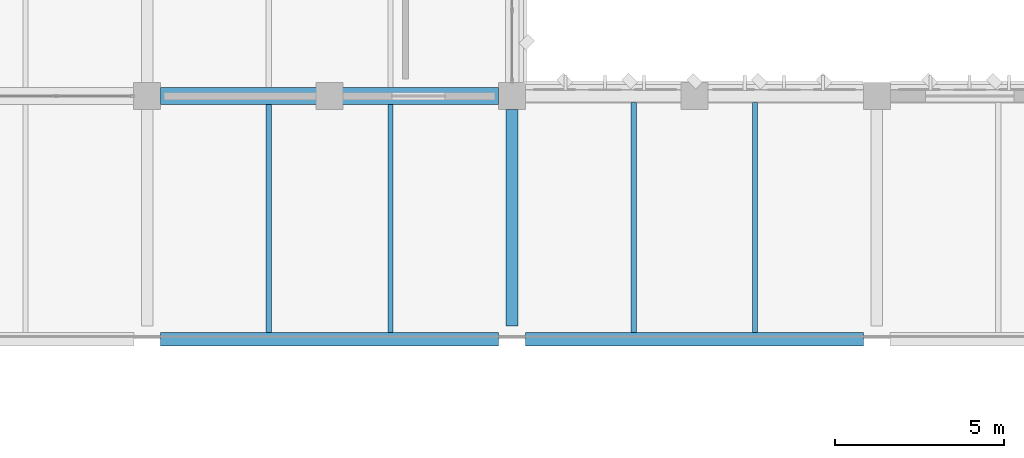
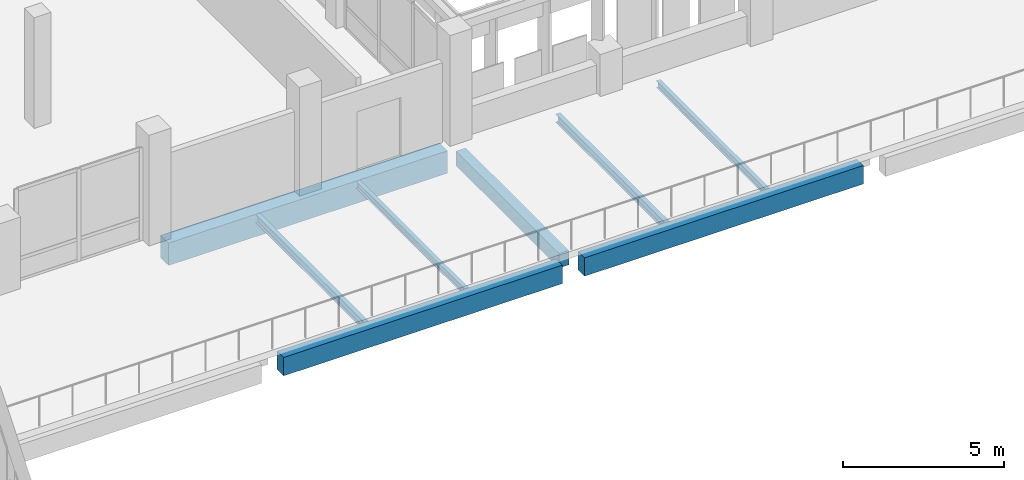
# One storey, part 8 of 158: 8 beams.
"""IFC4 building model written with IfcOpenShell, lengths in metres."""

import ifcopenshell
import ifcopenshell.guid

model = None  # the IFC model being written
_history = None  # IfcOwnerHistory: only IFC2X3 demands one
_inside = {}  # id of a spatial element -> (the spatial element, [elements in it])
_under = {}  # id of a project, library or spatial element -> (it, [spatial elements below it])
_declared = {}  # id of a project -> (the project, [libraries it declares])
_typed = {}  # id of a type object -> (the type object, [elements of that type])
_made_of = {}  # id of a material, layer set ... -> (it, [elements and type objects made of it])


def new_model(schema):
    """Start an empty IFC model of exactly this schema.

    Asked for "IFC4X3", IfcOpenShell would pick the latest addendum, in which some entities
    have other attributes; the version numbers below select the first issue.
    IFC2X3 requires an IfcOwnerHistory on every rooted entity: one is made here for all.
    """
    global model, _history
    if schema == "IFC4X3":
        model = ifcopenshell.file(schema_version=(4, 3, 0, 0))
    else:
        model = ifcopenshell.file(schema=schema)
    _inside.clear()
    _under.clear()
    _declared.clear()
    _typed.clear()
    _made_of.clear()
    _history = None
    if model.schema == "IFC2X3":
        org = make("IfcOrganization", Name="unknown")
        user = make(
            "IfcPersonAndOrganization",
            ThePerson=make("IfcPerson", FamilyName="unknown"),
            TheOrganization=org,
        )
        app = make(
            "IfcApplication",
            ApplicationDeveloper=org,
            Version="unknown",
            ApplicationFullName="unknown",
            ApplicationIdentifier="unknown",
        )
        _history = make(
            "IfcOwnerHistory",
            OwningUser=user,
            OwningApplication=app,
            ChangeAction="ADDED",
            CreationDate=0,
        )
    return model


def make(cls, **values):
    """One entity of the class cls with the attributes given. An attribute that is None is left unset."""
    return model.create_entity(
        cls, **{name: value for name, value in values.items() if value is not None}
    )


def rooted(cls, **values):
    """An entity with a GlobalId (a new one), such as an element, a storey or a relation."""
    return make(cls, GlobalId=ifcopenshell.guid.new(), OwnerHistory=_history, **values)


def si_unit(unit_type, name, prefix=None):
    """IfcSIUnit, for example si_unit("LENGTHUNIT", "METRE", prefix="MILLI")."""
    return make("IfcSIUnit", UnitType=unit_type, Prefix=prefix, Name=name)


def assignment(units):
    """IfcUnitAssignment: the units of a project."""
    return None if units is None else make("IfcUnitAssignment", Units=units)


def point(xyz):
    """IfcCartesianPoint."""
    return None if xyz is None else make("IfcCartesianPoint", Coordinates=xyz)


def direction(xyz):
    """IfcDirection."""
    return None if xyz is None else make("IfcDirection", DirectionRatios=xyz)


def frame(location, z_axis=None, x_axis=None):
    """IfcAxis2Placement3D, a coordinate frame: its origin and axes. An axis left out is left unset."""
    return make(
        "IfcAxis2Placement3D",
        Location=point(location),
        Axis=direction(z_axis),
        RefDirection=direction(x_axis),
    )


def frame_2d(location, x_axis=None):
    """IfcAxis2Placement2D, a coordinate frame in the plane: its origin and x axis."""
    return make(
        "IfcAxis2Placement2D", Location=point(location), RefDirection=direction(x_axis)
    )


def origin():
    """The frame at (0, 0, 0) with its axes left unset."""
    return frame((0.0, 0.0, 0.0))


def origin_2d():
    """The frame at (0, 0) in the plane with its x axis left unset."""
    return frame_2d((0.0, 0.0))


def place(relative_to, where):
    """IfcLocalPlacement: puts the frame where relative to a parent placement (None: the world)."""
    return make(
        "IfcLocalPlacement", PlacementRelTo=relative_to, RelativePlacement=where
    )


def context(
    kind, dimensions, precision=None, world=None, true_north=None, identifier=None
):
    """IfcGeometricRepresentationContext, for example the 3D "Model" context."""
    return make(
        "IfcGeometricRepresentationContext",
        ContextIdentifier=identifier,
        ContextType=kind,
        CoordinateSpaceDimension=dimensions,
        Precision=precision,
        WorldCoordinateSystem=world,
        TrueNorth=true_north,
    )


def subcontext(parent, identifier, kind, view, scale=None):
    """IfcGeometricRepresentationSubContext, for example "Body" below "Model"."""
    return make(
        "IfcGeometricRepresentationSubContext",
        ContextIdentifier=identifier,
        ContextType=kind,
        ParentContext=parent,
        TargetScale=scale,
        TargetView=view,
    )


def project(units=None, contexts=None):
    """IfcProject with its units and contexts."""
    return rooted(
        "IfcProject",
        Name="project",
        RepresentationContexts=contexts,
        UnitsInContext=assignment(units),
    )


def spatial(cls, under=None, at=None, **own):
    """A site, building, storey or space (cls), placed at a placement, below another one or the project."""
    s = rooted(cls, ObjectPlacement=at, **own)
    if under is not None:
        _under.setdefault(under.id(), (under, []))[1].append(s)
    return s


def profile(cls, at=None, kind="AREA", **sizes):
    """A parametric profile (cls). Its sizes go by their IFC names, for example OverallWidth=200.0."""
    return make(cls, ProfileType=kind, Position=at, **sizes)


def rectangle(**sizes):
    """IfcRectangleProfileDef."""
    return profile("IfcRectangleProfileDef", **sizes)


def i_section(**sizes):
    """IfcIShapeProfileDef."""
    return profile("IfcIShapeProfileDef", **sizes)


def extrude(swept, where, along, depth):
    """IfcExtrudedAreaSolid: the profile swept, set in the frame where, extruded along a direction by depth."""
    return make(
        "IfcExtrudedAreaSolid",
        SweptArea=swept,
        Position=where,
        ExtrudedDirection=direction(along),
        Depth=depth,
    )


def shape(context_of_items, identifier, shape_type, items):
    """IfcShapeRepresentation: the items that make up one representation, for example the "Body"."""
    return make(
        "IfcShapeRepresentation",
        ContextOfItems=context_of_items,
        RepresentationIdentifier=identifier,
        RepresentationType=shape_type,
        Items=items,
    )


def material(Name=None, Category=None):
    """IfcMaterial."""
    return make("IfcMaterial", Name=Name, Category=Category)


def material_profile(
    of_material, cross_section, Name=None, Category=None, Priority=None
):
    """IfcMaterialProfile: a cross section and its material."""
    return make(
        "IfcMaterialProfile",
        Name=Name,
        Material=of_material,
        Profile=cross_section,
        Priority=Priority,
        Category=Category,
    )


def profile_set(profiles, Name=None, composite=None):
    """IfcMaterialProfileSet."""
    return make(
        "IfcMaterialProfileSet",
        Name=Name,
        MaterialProfiles=profiles,
        CompositeProfile=composite,
    )


def made_of(thing, what):
    """Note that an element or type object is made of a material, layer set ...; save() writes the relation."""
    if what is not None:
        _made_of.setdefault(what.id(), (what, []))[1].append(thing)
    return thing


def type_object(cls, material=None, **own):
    """A type object (cls), such as IfcWallType, which elements share."""
    return made_of(rooted(cls, **own), material)


def element(
    cls,
    number,
    at=None,
    inside=None,
    cuts=None,
    type_object=None,
    material=None,
    context=None,
    identifier="Body",
    shape_type=None,
    held_by="IfcProductDefinitionShape",
    body=None,
    shapes=None,
    **own,
):
    """One element of the class cls, such as IfcWall. Its Tag is "e" and its number.

    at: its placement. inside: the storey or other place that contains it. cuts: it is an
    opening in that element (IfcRelVoidsElement). A single representation is given by context,
    identifier, shape_type and body (its items); several are given by shapes. held_by: the class
    of the entity that holds the representations. save() writes the other relations.
    """
    e = rooted(cls, Tag="e%d" % number, ObjectPlacement=at, **own)
    if body is not None:
        shapes = [shape(context, identifier, shape_type, body)]
    if shapes is not None:
        e.Representation = make(held_by, Representations=shapes)
    if inside is not None:
        _inside.setdefault(inside.id(), (inside, []))[1].append(e)
    if cuts is not None:
        rooted(
            "IfcRelVoidsElement", RelatingBuildingElement=cuts, RelatedOpeningElement=e
        )
    if type_object is not None:
        _typed.setdefault(type_object.id(), (type_object, []))[1].append(e)
    return made_of(e, material)


def aggregate(whole, parts):
    """IfcRelAggregates: a whole, such as a stair, and the parts it consists of."""
    return rooted("IfcRelAggregates", RelatingObject=whole, RelatedObjects=parts)


def save(model, path):
    """Write the relations noted so far, then the file.

    IfcRelAggregates (storeys below a building ...), IfcRelContainedInSpatialStructure (elements
    in a storey), IfcRelDefinesByType, IfcRelAssociatesMaterial and IfcRelDeclares: one each for
    every whole, place, type object, material and project.
    """
    for whole, parts in _under.values():
        aggregate(whole, parts)
    for where, things in _inside.values():
        rooted(
            "IfcRelContainedInSpatialStructure",
            RelatedElements=things,
            RelatingStructure=where,
        )
    for kind, things in _typed.values():
        rooted("IfcRelDefinesByType", RelatedObjects=things, RelatingType=kind)
    for what, things in _made_of.values():
        rooted("IfcRelAssociatesMaterial", RelatedObjects=things, RelatingMaterial=what)
    for by, libraries in _declared.values():
        rooted("IfcRelDeclares", RelatingContext=by, RelatedDefinitions=libraries)
    model.write(path)


model = new_model("IFC4")

# Units and contexts
model_context = context("Model", 3, precision=1e-05, world=origin(), true_north=direction((0.0, 1.0)))
body_context = subcontext(model_context, "Body", "Model", "MODEL_VIEW")
ifc_project = project(units=[si_unit("LENGTHUNIT", "METRE"), si_unit("AREAUNIT", "SQUARE_METRE"), si_unit("VOLUMEUNIT", "CUBIC_METRE"), si_unit("PLANEANGLEUNIT", "RADIAN"), si_unit("MASSUNIT", "GRAM", prefix="KILO")], contexts=[model_context])

# Site, building, storey
site_placement = place(None, origin())
site = spatial("IfcSite", under=ifc_project, at=site_placement, CompositionType="ELEMENT")
building_placement = place(site_placement, origin())
building = spatial("IfcBuilding", under=site, at=building_placement, Name="Lusvemor Sports Hall", CompositionType="ELEMENT")
storey_placement = place(building_placement, frame((0.0, 0.0, 10.800048828125)))
storey = spatial("IfcBuildingStorey", under=building, at=storey_placement, Name="L02", CompositionType="ELEMENT", Elevation=10.800048828125)

# Beams
ifc_material_1 = material(Name="Concrete C40/50", Category="concrete")
ifc_material_profile_1 = material_profile(ifc_material_1, rectangle(XDim=0.35009765625, YDim=0.550048828125, at=origin_2d()), Name="RC350x550")
ifc_profile_set_1 = profile_set([ifc_material_profile_1], Name="Concrete C40/50")
beam_type_1 = type_object("IfcBeamType", Name="BEAM_RC_550", PredefinedType="BEAM", material=ifc_profile_set_1)
beam_1_placement = place(storey_placement, frame((21.60009765625, 39.99609375, -0.53515625), z_axis=(0.0, 1.0, 0.0), x_axis=(-1.0, 0.0, 0.0)))
element("IfcBeam", 1, at=beam_1_placement, inside=storey, type_object=beam_type_1, Name="Beam L02 3:E-F", PredefinedType="BEAM", context=body_context, shape_type="SweptSolid", body=[
    extrude(rectangle(XDim=0.35009765625, YDim=0.550048828125, at=origin_2d()), origin(), (0.0, 0.0, 1.0), 6.407958984375),
])
ifc_material_2 = material(Name="Concrete C40/50", Category="concrete")
ifc_material_profile_2 = material_profile(ifc_material_2, rectangle(XDim=0.5, YDim=0.85009765625, at=origin_2d()), Name="RC500x850")
ifc_profile_set_2 = profile_set([ifc_material_profile_2], Name="Concrete C40/50")
beam_type_2 = type_object("IfcBeamType", Name="GIRD_RC_850", PredefinedType="T_BEAM", material=ifc_profile_set_2)
beam_2_placement = place(storey_placement, frame((11.196044921875, 46.800048828125, -0.68505859375), z_axis=(1.0, 0.0, 0.0), x_axis=(0.0, 1.0, 0.0)))
element("IfcBeam", 2, at=beam_2_placement, inside=storey, type_object=beam_type_2, Name="Beam L02 F:2-3", PredefinedType="T_BEAM", context=body_context, shape_type="SweptSolid", body=[
    extrude(rectangle(XDim=0.5, YDim=0.85009765625, at=origin_2d()), origin(), (0.0, 0.0, 1.0), 10.008056640625),
])
ifc_material_3 = material(Name="Steel S355", Category="steel")
ifc_material_profile_3 = material_profile(ifc_material_3, i_section(OverallWidth=0.14794921875, OverallDepth=0.26611328125, WebThickness=0.007568359375, FlangeThickness=0.012939453125, FilletRadius=0.012939453125, at=origin_2d()), Name="W250x44.8")
ifc_profile_set_3 = profile_set([ifc_material_profile_3], Name="Steel S355")
beam_type_3 = type_object("IfcBeamType", Name="JOIST_ST_250M", PredefinedType="JOIST", material=ifc_profile_set_3)
beam_3_placement = place(storey_placement, frame((18.0, 39.7958984375, -0.39697265625), z_axis=(0.0, 1.0, 0.0), x_axis=(-1.0, 0.0, 0.0)))
element("IfcBeam", 3, at=beam_3_placement, inside=storey, type_object=beam_type_3, Name="Secondary Joist L02 2-3/E-F #2", PredefinedType="JOIST", context=body_context, shape_type="SweptSolid", body=[
    extrude(i_section(OverallWidth=0.14794921875, OverallDepth=0.26611328125, WebThickness=0.007568359375, FlangeThickness=0.012939453125, FilletRadius=0.012939453125, at=origin_2d()), origin(), (0.0, 0.0, 1.0), 6.758056640625),
])
beam_4_placement = place(storey_placement, frame((28.800048828125, 39.7958984375, -0.39697265625), z_axis=(0.0, 1.0, 0.0), x_axis=(-1.0, 0.0, 0.0)))
element("IfcBeam", 4, at=beam_4_placement, inside=storey, type_object=beam_type_3, Name="Secondary Joist L02 3-4/E-F #2", PredefinedType="JOIST", context=body_context, shape_type="SweptSolid", body=[
    extrude(i_section(OverallWidth=0.14794921875, OverallDepth=0.26611328125, WebThickness=0.007568359375, FlangeThickness=0.012939453125, FilletRadius=0.012939453125, at=origin_2d()), origin(), (0.0, 0.0, 1.0), 6.80810546875),
])
ifc_material_4 = material(Name="Steel S355", Category="steel")
ifc_material_profile_4 = material_profile(ifc_material_4, i_section(OverallWidth=0.1669921875, OverallDepth=0.31689453125, WebThickness=0.007568359375, FlangeThickness=0.01318359375, FilletRadius=0.014892578125, at=origin_2d()), Name="W310x52.0")
ifc_profile_set_4 = profile_set([ifc_material_profile_4], Name="Steel S355")
beam_type_4 = type_object("IfcBeamType", Name="JOIST_ST_310M", PredefinedType="JOIST", material=ifc_profile_set_4)
beam_5_placement = place(storey_placement, frame((14.39990234375, 39.7958984375, -0.422607421875), z_axis=(0.0, 1.0, 0.0), x_axis=(-1.0, 0.0, 0.0)))
element("IfcBeam", 5, at=beam_5_placement, inside=storey, type_object=beam_type_4, Name="Secondary Joist L02 2-3/E-F #1", PredefinedType="JOIST", context=body_context, shape_type="SweptSolid", body=[
    extrude(i_section(OverallWidth=0.1669921875, OverallDepth=0.31689453125, WebThickness=0.007568359375, FlangeThickness=0.01318359375, FilletRadius=0.014892578125, at=origin_2d()), origin(), (0.0, 0.0, 1.0), 6.758056640625),
])
beam_6_placement = place(storey_placement, frame((25.199951171875, 39.7958984375, -0.422607421875), z_axis=(0.0, 1.0, 0.0), x_axis=(-1.0, 0.0, 0.0)))
element("IfcBeam", 6, at=beam_6_placement, inside=storey, type_object=beam_type_4, Name="Secondary Joist L02 3-4/E-F #1", PredefinedType="JOIST", context=body_context, shape_type="SweptSolid", body=[
    extrude(i_section(OverallWidth=0.1669921875, OverallDepth=0.31689453125, WebThickness=0.007568359375, FlangeThickness=0.01318359375, FilletRadius=0.014892578125, at=origin_2d()), origin(), (0.0, 0.0, 1.0), 6.80810546875),
])
ifc_material_5 = material(Name="Concrete C40/50", Category="concrete")
ifc_material_profile_5 = material_profile(ifc_material_5, rectangle(XDim=0.39990234375, YDim=0.699951171875, at=origin_2d()), Name="RC400x700")
ifc_profile_set_5 = profile_set([ifc_material_profile_5], Name="Concrete C40/50")
beam_type_5 = type_object("IfcBeamType", Name="SPAND_EXT_700", PredefinedType="SPANDREL", material=ifc_profile_set_5)
beam_7_placement = place(storey_placement, frame((11.196044921875, 39.60009765625, -0.610107421875), z_axis=(1.0, 0.0, 0.0), x_axis=(0.0, 1.0, 0.0)))
element("IfcBeam", 7, at=beam_7_placement, inside=storey, type_object=beam_type_5, Name="Beam L02 E:2-3", PredefinedType="SPANDREL", context=body_context, shape_type="SweptSolid", body=[
    extrude(rectangle(XDim=0.39990234375, YDim=0.699951171875, at=origin_2d()), origin(), (0.0, 0.0, 1.0), 10.008056640625),
])
beam_8_placement = place(storey_placement, frame((21.99609375, 39.60009765625, -0.610107421875), z_axis=(1.0, 0.0, 0.0), x_axis=(0.0, 1.0, 0.0)))
element("IfcBeam", 8, at=beam_8_placement, inside=storey, type_object=beam_type_5, Name="Beam L02 E:3-4", PredefinedType="SPANDREL", context=body_context, shape_type="SweptSolid", body=[
    extrude(rectangle(XDim=0.39990234375, YDim=0.699951171875, at=origin_2d()), origin(), (0.0, 0.0, 1.0), 10.0078125),
])

save(model, "model.ifc")
